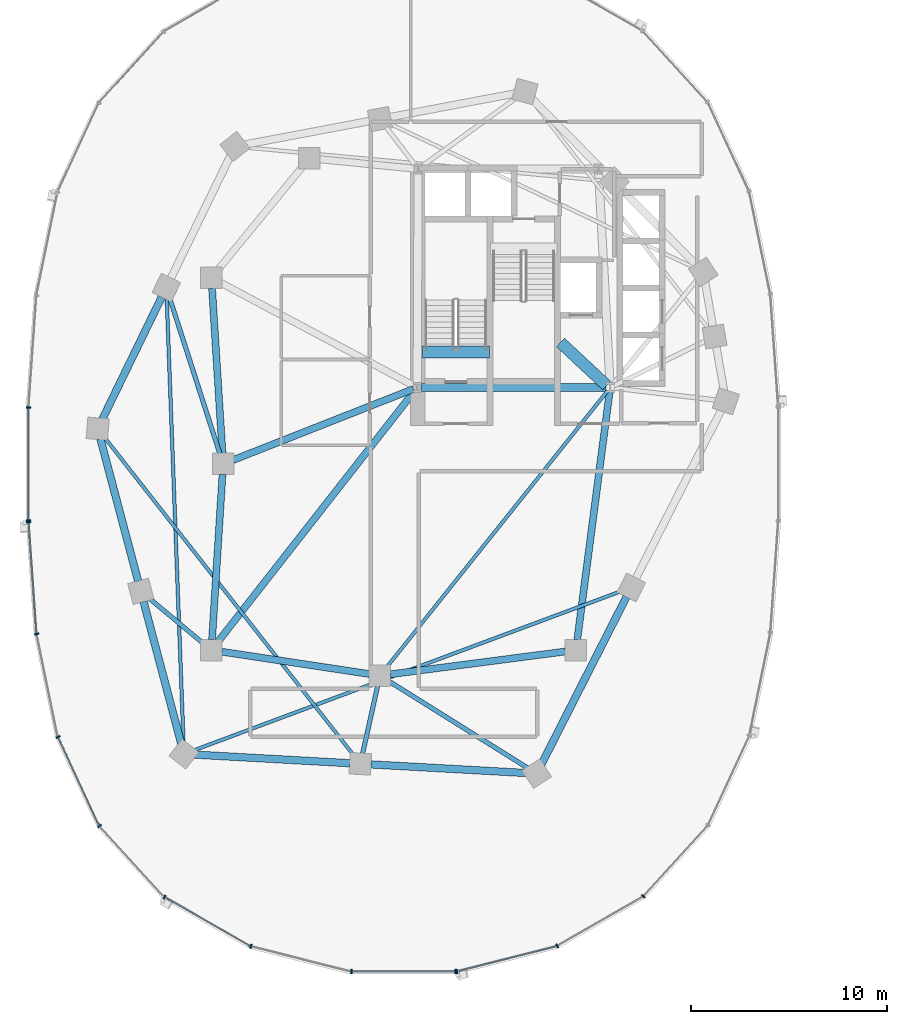
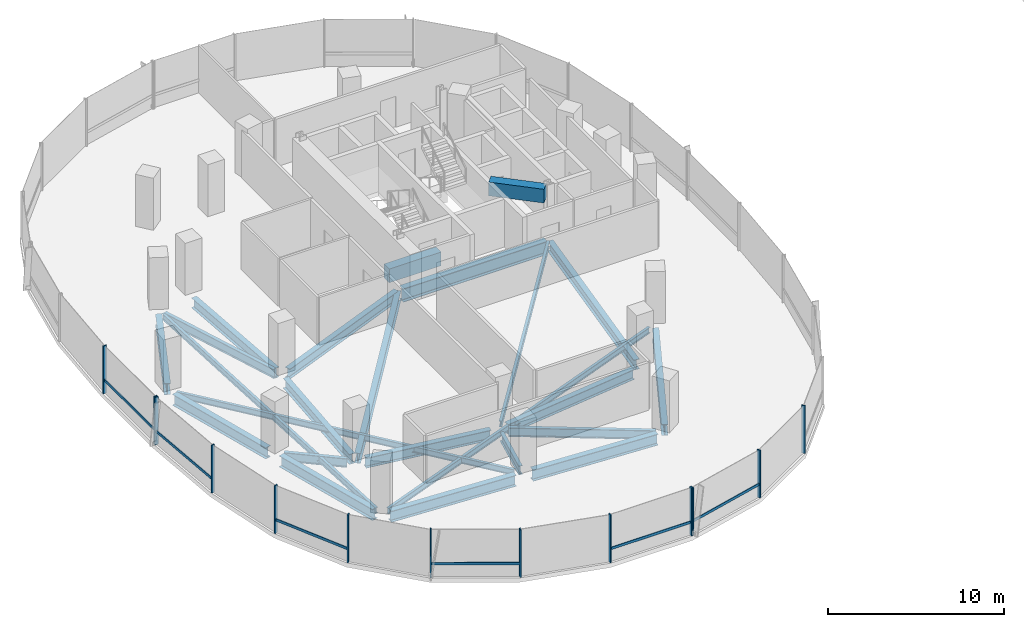
# One storey, part 2 of 20: 24 beams, 19 members, 3 elements without a shape of their own.
"""IFC4 building model written with IfcOpenShell, lengths in metres."""

from ifc_helpers import new_model, si_unit, direction, frame, origin, origin_2d, place, context, subcontext, project, spatial, rectangle, i_section, extrude, material, material_profile, profile_set, type_object, element, aggregate, save


model = new_model("IFC4")

# Units and contexts
model_context = context("Model", 3, precision=1e-05, world=origin(), true_north=direction((0.0, 1.0)))
body_context = subcontext(model_context, "Body", "Model", "MODEL_VIEW")
ifc_project = project(units=[si_unit("LENGTHUNIT", "METRE"), si_unit("AREAUNIT", "SQUARE_METRE"), si_unit("VOLUMEUNIT", "CUBIC_METRE"), si_unit("PLANEANGLEUNIT", "RADIAN"), si_unit("MASSUNIT", "GRAM", prefix="KILO"), si_unit("THERMODYNAMICTEMPERATUREUNIT", "KELVIN"), si_unit("POWERUNIT", "WATT")], contexts=[model_context])

# Site, building, storey
site_placement = place(None, origin())
site = spatial("IfcSite", under=ifc_project, at=site_placement, CompositionType="ELEMENT")
building_placement = place(site_placement, origin())
building = spatial("IfcBuilding", under=site, at=building_placement, Name="Cundina Bronze Exchange", CompositionType="ELEMENT")
storey_placement = place(building_placement, frame((0.0, 0.0, 125.0)))
storey = spatial("IfcBuildingStorey", under=building, at=storey_placement, Name="L32", CompositionType="ELEMENT", Elevation=125.0)

# Beams
ifc_material_1 = material(Name="Concrete C60/75", Category="concrete")
ifc_material_profile_1 = material_profile(ifc_material_1, rectangle(XDim=0.60009765625, YDim=0.949951171875, at=origin_2d()), Name="RC600X950", Category="concrete")
ifc_profile_set_1 = profile_set([ifc_material_profile_1], Name="Concrete C60/75")
beam_type_1 = type_object("IfcBeamType", Name="BM-COUP-RC950", PredefinedType="LINTEL", material=ifc_profile_set_1)
beam_1_placement = place(storey_placement, frame((-31.02001953125, 5.719970703125, -0.47509765625), z_axis=(1.0, 0.0, 0.0), x_axis=(0.0, 1.0, 0.0)))
element("IfcBeam", 1, at=beam_1_placement, inside=storey, type_object=beam_type_1, Name="L32 Stair W1 Landing Header Beam", PredefinedType="LINTEL", context=body_context, shape_type="SweptSolid", body=[
    extrude(rectangle(XDim=0.60009765625, YDim=0.949951171875, at=origin_2d()), origin(), (0.0, 0.0, 1.0), 3.39990234375),
])
beam_2_placement = place(storey_placement, frame((-23.989990234375, 6.199951171875, 2.824951171875), z_axis=(0.731490439815, -0.681851696822, 0.0), x_axis=(0.681851696822, 0.731490439815, 0.0)))
element("IfcBeam", 2, at=beam_2_placement, inside=storey, type_object=beam_type_1, Name="L32 W Core Shear Coupling Lintel Beam", PredefinedType="LINTEL", context=body_context, shape_type="SweptSolid", body=[
    extrude(rectangle(XDim=0.60009765625, YDim=0.949951171875, at=origin_2d()), origin(), (0.0, 0.0, 1.0), 3.226318359375),
])
ifc_material_2 = material(Name="Steel ASTM A992 Grade 50", Category="steel")
ifc_material_profile_2 = material_profile(ifc_material_2, i_section(OverallWidth=0.22998046875, OverallDepth=0.616943359375, WebThickness=0.01318359375, FlangeThickness=0.022216796875, FilletRadius=0.013916015625, at=origin_2d()), Name="W24X94", Category="steel")
ifc_profile_set_2 = profile_set([ifc_material_profile_2], Name="Steel ASTM A992 Grade 50")
beam_type_2 = type_object("IfcBeamType", Name="BM-FLR-W24B", PredefinedType="BEAM", material=ifc_profile_set_2)
beam_3_placement = place(storey_placement, frame((-41.364990234375, 0.51220703125, -0.6083984375), z_axis=(-0.306710777581, 0.951802762612, 0.0), x_axis=(-0.951802762612, -0.306710777581, 0.0)))
element("IfcBeam", 3, at=beam_3_placement, inside=storey, type_object=beam_type_2, Name="L32 Leg W Radial Floor Beam 07", PredefinedType="BEAM", context=body_context, shape_type="SweptSolid", body=[
    extrude(i_section(OverallWidth=0.22998046875, OverallDepth=0.616943359375, WebThickness=0.01318359375, FlangeThickness=0.022216796875, FilletRadius=0.013916015625, at=origin_2d()), origin(), (0.0, 0.0, 1.0), 8.37939453125),
])
beam_4_placement = place(storey_placement, frame((-42.21337890625, -9.155517578125, -0.6083984375), z_axis=(-0.768243451945, 0.640157791911, 0.0), x_axis=(-0.640157791911, -0.768243451945, 0.0)))
element("IfcBeam", 4, at=beam_4_placement, inside=storey, type_object=beam_type_2, Name="L32 Leg W Radial Floor Beam 09", PredefinedType="BEAM", context=body_context, shape_type="SweptSolid", body=[
    extrude(i_section(OverallWidth=0.22998046875, OverallDepth=0.616943359375, WebThickness=0.01318359375, FlangeThickness=0.022216796875, FilletRadius=0.013916015625, at=origin_2d()), origin(), (0.0, 0.0, 1.0), 3.610107421875),
])
beam_5_placement = place(storey_placement, frame((-33.316650390625, -11.3251953125, -0.6083984375), z_axis=(-0.216930457819, -0.976187060184, 0.0), x_axis=(0.976187060184, -0.216930457819, 0.0)))
element("IfcBeam", 5, at=beam_5_placement, inside=storey, type_object=beam_type_2, Name="L32 Leg W Radial Floor Beam 11", PredefinedType="BEAM", context=body_context, shape_type="SweptSolid", body=[
    extrude(i_section(OverallWidth=0.22998046875, OverallDepth=0.616943359375, WebThickness=0.01318359375, FlangeThickness=0.022216796875, FilletRadius=0.013916015625, at=origin_2d()), origin(), (0.0, 0.0, 1.0), 3.533935546875),
])
beam_6_placement = place(storey_placement, frame((-32.743896484375, -11.085205078125, -0.6083984375), z_axis=(0.848003227047, -0.529991063055, 0.0), x_axis=(0.529991063055, 0.848003227047, 0.0)))
element("IfcBeam", 6, at=beam_6_placement, inside=storey, type_object=beam_type_2, Name="L32 Leg W Radial Floor Beam 12", PredefinedType="BEAM", context=body_context, shape_type="SweptSolid", body=[
    extrude(i_section(OverallWidth=0.22998046875, OverallDepth=0.616943359375, WebThickness=0.01318359375, FlangeThickness=0.022216796875, FilletRadius=0.013916015625, at=origin_2d()), origin(), (0.0, 0.0, 1.0), 8.358154296875),
])
ifc_material_profile_3 = material_profile(ifc_material_2, i_section(OverallWidth=0.178955078125, OverallDepth=0.409912109375, WebThickness=0.0087890625, FlangeThickness=0.014404296875, FilletRadius=0.010986328125, at=origin_2d()), Name="W16X45", Category="steel")
ifc_profile_set_3 = profile_set([ifc_material_profile_3], Name="Steel ASTM A992 Grade 50")
beam_type_3 = type_object("IfcBeamType", Name="BM-JST-W16", PredefinedType="JOIST", material=ifc_profile_set_3)
beam_7_placement = place(storey_placement, frame((-21.577392578125, 3.740478515625, -0.5048828125), z_axis=(-0.62436887964, -0.781129632095, 0.0), x_axis=(0.781129632095, -0.62436887964, 0.0)))
element("IfcBeam", 7, at=beam_7_placement, inside=storey, type_object=beam_type_3, Name="L32 W Interior Core-to-Ring Joist 2", PredefinedType="JOIST", context=body_context, shape_type="SweptSolid", body=[
    extrude(i_section(OverallWidth=0.178955078125, OverallDepth=0.409912109375, WebThickness=0.0087890625, FlangeThickness=0.014404296875, FilletRadius=0.010986328125, at=origin_2d()), origin(), (0.0, 0.0, 1.0), 18.076904296875),
])
beam_8_placement = place(storey_placement, frame((-44.07958984375, 8.46240234375, -0.5048828125), z_axis=(0.03778951385, -0.999285721224, 0.0), x_axis=(0.999285721224, 0.03778951385, 0.0)))
element("IfcBeam", 8, at=beam_8_placement, inside=storey, type_object=beam_type_3, Name="L32 Leg W Lobe Floor Joist 07-10", PredefinedType="JOIST", context=body_context, shape_type="SweptSolid", body=[
    extrude(i_section(OverallWidth=0.178955078125, OverallDepth=0.409912109375, WebThickness=0.0087890625, FlangeThickness=0.014404296875, FilletRadius=0.010986328125, at=origin_2d()), origin(), (0.0, 0.0, 1.0), 22.7412109375),
])
beam_9_placement = place(storey_placement, frame((-47.268310546875, 1.37646484375, -0.5048828125), z_axis=(0.616815348306, -0.787107887201, 0.0), x_axis=(0.787107887201, 0.616815348306, 0.0)))
element("IfcBeam", 9, at=beam_9_placement, inside=storey, type_object=beam_type_3, Name="L32 Leg W Lobe Floor Joist 08-11", PredefinedType="JOIST", context=body_context, shape_type="SweptSolid", body=[
    extrude(i_section(OverallWidth=0.178955078125, OverallDepth=0.409912109375, WebThickness=0.0087890625, FlangeThickness=0.014404296875, FilletRadius=0.010986328125, at=origin_2d()), origin(), (0.0, 0.0, 1.0), 20.64892578125),
])
beam_10_placement = place(storey_placement, frame((-42.69580078125, -14.6123046875, -0.5048828125), z_axis=(0.937127917421, 0.348986054721, 0.0), x_axis=(-0.348986054721, 0.937127917421, 0.0)))
element("IfcBeam", 10, at=beam_10_placement, inside=storey, type_object=beam_type_3, Name="L32 Leg W Lobe Floor Joist 10-13", PredefinedType="JOIST", context=body_context, shape_type="SweptSolid", body=[
    extrude(i_section(OverallWidth=0.178955078125, OverallDepth=0.409912109375, WebThickness=0.0087890625, FlangeThickness=0.014404296875, FilletRadius=0.010986328125, at=origin_2d()), origin(), (0.0, 0.0, 1.0), 23.2802734375),
])
ifc_material_profile_4 = material_profile(ifc_material_2, i_section(OverallWidth=0.35498046875, OverallDepth=0.695068359375, WebThickness=0.015380859375, FlangeThickness=0.02490234375, FilletRadius=0.01806640625, at=origin_2d()), Name="W27X146", Category="steel")
ifc_profile_set_4 = profile_set([ifc_material_profile_4], Name="Steel ASTM A992 Grade 50")
beam_type_4 = type_object("IfcBeamType", Name="BM-RING-W27", PredefinedType="USERDEFINED", material=ifc_profile_set_4)
for number, where, z_axis, x_axis, name in (
    (11, (-41.76611328125, 8.963134765625, -0.6474609375), (0.06303715519, -0.998011180832, 0.0), (0.998011180832, 0.06303715519, 0.0), "L32 W Inner Structural Ring Girder 03"),
    (12, (-41.23388671875, -0.536865234375, -0.6474609375), (-0.06303715519, -0.998011180832, 0.0), (0.998011180832, -0.06303715519, 0.0), "L32 W Inner Structural Ring Girder 04"),
):
    element("IfcBeam", number, at=place(storey_placement, frame(where, z_axis=z_axis, x_axis=x_axis)), inside=storey, type_object=beam_type_4, Name=name, ObjectType="GIRDER", PredefinedType="USERDEFINED", context=body_context, shape_type="SweptSolid", body=[
        extrude(i_section(OverallWidth=0.35498046875, OverallDepth=0.695068359375, WebThickness=0.015380859375, FlangeThickness=0.02490234375, FilletRadius=0.01806640625, at=origin_2d()), origin(), (0.0, 0.0, 1.0), 8.443115234375),
    ])
beam_11_placement = place(storey_placement, frame((-41.26806640625, -9.580322265625, -0.6474609375), z_axis=(0.988767489563, -0.149461873341, 0.0), x_axis=(0.149461873341, 0.988767489563, 0.0)))
element("IfcBeam", 13, at=beam_11_placement, inside=storey, type_object=beam_type_4, Name="L32 W Inner Structural Ring Girder 05", ObjectType="GIRDER", PredefinedType="USERDEFINED", context=body_context, shape_type="SweptSolid", body=[
    extrude(i_section(OverallWidth=0.35498046875, OverallDepth=0.695068359375, WebThickness=0.015380859375, FlangeThickness=0.02490234375, FilletRadius=0.01806640625, at=origin_2d()), origin(), (0.0, 0.0, 1.0), 7.621826171875),
])
beam_12_placement = place(storey_placement, frame((-32.66650390625, -10.730712890625, -0.6474609375), z_axis=(0.991654577907, 0.128923225666, 0.0), x_axis=(-0.128923225666, 0.991654577907, 0.0)))
element("IfcBeam", 14, at=beam_12_placement, inside=storey, type_object=beam_type_4, Name="L32 W Inner Structural Ring Girder 06", ObjectType="GIRDER", PredefinedType="USERDEFINED", context=body_context, shape_type="SweptSolid", body=[
    extrude(i_section(OverallWidth=0.35498046875, OverallDepth=0.695068359375, WebThickness=0.015380859375, FlangeThickness=0.02490234375, FilletRadius=0.01806640625, at=origin_2d()), origin(), (0.0, 0.0, 1.0), 9.00830078125),
])
beam_13_placement = place(storey_placement, frame((-23.13037109375, -8.966552734375, -0.6474609375), z_axis=(0.129507526533, 0.99157843894, 0.0), x_axis=(-0.99157843894, 0.129507526533, 0.0)))
element("IfcBeam", 15, at=beam_13_placement, inside=storey, type_object=beam_type_4, Name="L32 W Inner Structural Ring Girder 07", ObjectType="GIRDER", PredefinedType="USERDEFINED", context=body_context, shape_type="SweptSolid", body=[
    extrude(i_section(OverallWidth=0.35498046875, OverallDepth=0.695068359375, WebThickness=0.015380859375, FlangeThickness=0.02490234375, FilletRadius=0.01806640625, at=origin_2d()), origin(), (0.0, 0.0, 1.0), 12.77197265625),
])
beam_14_placement = place(storey_placement, frame((-31.48974609375, 3.8251953125, -0.6474609375), z_axis=(-0.930413235418, -0.366512225388, 0.0), x_axis=(0.366512225388, -0.930413235418, 0.0)))
element("IfcBeam", 16, at=beam_14_placement, inside=storey, type_object=beam_type_4, Name="L32 W Core-to-Waist Tie Beam 1", ObjectType="GIRDER", PredefinedType="USERDEFINED", context=body_context, shape_type="SweptSolid", body=[
    extrude(i_section(OverallWidth=0.35498046875, OverallDepth=0.695068359375, WebThickness=0.015380859375, FlangeThickness=0.02490234375, FilletRadius=0.01806640625, at=origin_2d()), origin(), (0.0, 0.0, 1.0), 9.8984375),
])
beam_15_placement = place(storey_placement, frame((-31.42578125, 3.739501953125, -0.6474609375), z_axis=(-0.616789275748, -0.787128318206, 0.0), x_axis=(0.787128318206, -0.616789275748, 0.0)))
element("IfcBeam", 17, at=beam_15_placement, inside=storey, type_object=beam_type_4, Name="L32 W Core-to-Waist Tie Beam 3", ObjectType="GIRDER", PredefinedType="USERDEFINED", context=body_context, shape_type="SweptSolid", body=[
    extrude(i_section(OverallWidth=0.35498046875, OverallDepth=0.695068359375, WebThickness=0.015380859375, FlangeThickness=0.02490234375, FilletRadius=0.01806640625, at=origin_2d()), origin(), (0.0, 0.0, 1.0), 16.281982421875),
])
ifc_material_profile_5 = material_profile(ifc_material_2, i_section(OverallWidth=0.381103515625, OverallDepth=0.77294921875, WebThickness=0.0166015625, FlangeThickness=0.027099609375, FilletRadius=0.01904296875, at=origin_2d()), Name="W30X173", Category="steel")
ifc_profile_set_5 = profile_set([ifc_material_profile_5], Name="Steel ASTM A992 Grade 50")
beam_type_5 = type_object("IfcBeamType", Name="BM-RING-W30", PredefinedType="USERDEFINED", material=ifc_profile_set_5)
beam_16_placement = place(storey_placement, frame((-44.335205078125, 8.51611328125, -0.6865234375), z_axis=(-0.437193894283, -0.899367276924, 0.0), x_axis=(0.899367276924, -0.437193894283, 0.0)))
element("IfcBeam", 18, at=beam_16_placement, inside=storey, type_object=beam_type_5, Name="L32 W Perimeter Ring Girder 07", ObjectType="GIRDER", PredefinedType="USERDEFINED", context=body_context, shape_type="SweptSolid", body=[
    extrude(i_section(OverallWidth=0.381103515625, OverallDepth=0.77294921875, WebThickness=0.0166015625, FlangeThickness=0.027099609375, FilletRadius=0.01904296875, at=origin_2d()), origin(), (0.0, 0.0, 1.0), 6.929443359375),
])
for number, where, z_axis, x_axis, name in (
    (19, (-47.462158203125, 1.280029296875, -0.6865234375), (0.256209719931, -0.966621218168, 0.0), (0.966621218168, 0.256209719931, 0.0), "L32 W Perimeter Ring Girder 08"),
    (20, (-45.26220703125, -7.02001953125, -0.6865234375), (0.256209719931, -0.966621218168, 0.0), (0.966621218168, 0.256209719931, 0.0), "L32 W Perimeter Ring Girder 09"),
):
    element("IfcBeam", number, at=place(storey_placement, frame(where, z_axis=z_axis, x_axis=x_axis)), inside=storey, type_object=beam_type_5, Name=name, ObjectType="GIRDER", PredefinedType="USERDEFINED", context=body_context, shape_type="SweptSolid", body=[
        extrude(i_section(OverallWidth=0.381103515625, OverallDepth=0.77294921875, WebThickness=0.0166015625, FlangeThickness=0.027099609375, FilletRadius=0.01904296875, at=origin_2d()), origin(), (0.0, 0.0, 1.0), 7.5107421875),
    ])
for number, where, z_axis, x_axis, name in (
    (21, (-42.662841796875, -14.829833984375, -0.6865234375), (0.99845950136, -0.055485350721, 0.0), (0.055485350721, 0.99845950136, 0.0), "L32 W Perimeter Ring Girder 10"),
    (22, (-33.662841796875, -15.329833984375, -0.6865234375), (0.99845950136, -0.055485350721, 0.0), (0.055485350721, 0.99845950136, 0.0), "L32 W Perimeter Ring Girder 11"),
):
    element("IfcBeam", number, at=place(storey_placement, frame(where, z_axis=z_axis, x_axis=x_axis)), inside=storey, type_object=beam_type_5, Name=name, ObjectType="GIRDER", PredefinedType="USERDEFINED", context=body_context, shape_type="SweptSolid", body=[
        extrude(i_section(OverallWidth=0.381103515625, OverallDepth=0.77294921875, WebThickness=0.0166015625, FlangeThickness=0.027099609375, FilletRadius=0.01904296875, at=origin_2d()), origin(), (0.0, 0.0, 1.0), 7.937744140625),
    ])
beam_17_placement = place(storey_placement, frame((-24.956298828125, -15.3203125, -0.6865234375), z_axis=(0.452832332744, 0.891595692241, 0.0), x_axis=(-0.891595692241, 0.452832332744, 0.0)))
element("IfcBeam", 23, at=beam_17_placement, inside=storey, type_object=beam_type_5, Name="L32 W Perimeter Ring Girder 12", ObjectType="GIRDER", PredefinedType="USERDEFINED", context=body_context, shape_type="SweptSolid", body=[
    extrude(i_section(OverallWidth=0.381103515625, OverallDepth=0.77294921875, WebThickness=0.0166015625, FlangeThickness=0.027099609375, FilletRadius=0.01904296875, at=origin_2d()), origin(), (0.0, 0.0, 1.0), 9.578857421875),
])
ifc_material_profile_6 = material_profile(ifc_material_2, i_section(OverallWidth=0.41796875, OverallDepth=0.927001953125, WebThickness=0.019287109375, FlangeThickness=0.031982421875, FilletRadius=0.02392578125, at=origin_2d()), Name="W36X231", Category="steel")
ifc_profile_set_6 = profile_set([ifc_material_profile_6], Name="Steel ASTM A992 Grade 50")
beam_type_6 = type_object("IfcBeamType", Name="BM-WRN-W36B", PredefinedType="USERDEFINED", material=ifc_profile_set_6)
beam_18_placement = place(storey_placement, frame((-31.095947265625, 3.89990234375, -0.763427734375), z_axis=(1.0, 0.0, 0.0), x_axis=(0.0, 1.0, 0.0)))
element("IfcBeam", 24, at=beam_18_placement, inside=storey, type_object=beam_type_6, Name="L32 W Core Perimeter Tie Girder 1", ObjectType="GIRDER", PredefinedType="USERDEFINED", context=body_context, shape_type="SweptSolid", body=[
    extrude(i_section(OverallWidth=0.41796875, OverallDepth=0.927001953125, WebThickness=0.019287109375, FlangeThickness=0.031982421875, FilletRadius=0.02392578125, at=origin_2d()), origin(), (0.0, 0.0, 1.0), 9.44189453125),
])

# Curtain wall, members
ifc_material_3 = material(Name="Anodised Bronze Aluminium 6063-T6", Category="aluminium")
curtain_wall_type = type_object("IfcCurtainWallType", Name="CWS-TRD-MID", PredefinedType="NOTDEFINED", material=ifc_material_3)
curtain_wall_1_placement = place(storey_placement, origin())
curtain_wall_1 = element("IfcCurtainWall", 25, at=curtain_wall_1_placement, inside=storey, type_object=curtain_wall_type, Name="L32 CW-03 Curtain Wall Run CWR-L32-W2", PredefinedType="NOTDEFINED")
ifc_material_profile_7 = material_profile(ifc_material_3, rectangle(XDim=0.074951171875, YDim=0.219970703125, at=origin_2d()), Name="AL75X220", Category="aluminium")
ifc_profile_set_7 = profile_set([ifc_material_profile_7], Name="Anodised Bronze Aluminium 6063-T6")
member_type_1 = type_object("IfcMemberType", Name="CWM-MUL-220", PredefinedType="MULLION", material=ifc_profile_set_7)
member_1_placement = place(storey_placement, frame((-51.1279296875, 2.880615234375, 0.0), z_axis=(0.0, 0.0, 1.0), x_axis=(0.0, -1.0, 0.0)))
member_1 = element("IfcMember", 26, at=member_1_placement, type_object=member_type_1, Name="CW-03 Mullion 7", PredefinedType="MULLION", context=body_context, shape_type="SweptSolid", body=[
    extrude(rectangle(XDim=0.074951171875, YDim=0.219970703125, at=origin_2d()), origin(), (0.0, 0.0, 1.0), 3.300048828125),
])
member_2_placement = place(storey_placement, frame((-51.1279296875, -2.880615234375, 0.0), z_axis=(0.0, 0.0, 1.0), x_axis=(0.0, -1.0, 0.0)))
member_2 = element("IfcMember", 27, at=member_2_placement, type_object=member_type_1, Name="CW-03 End Mullion", PredefinedType="MULLION", context=body_context, shape_type="SweptSolid", body=[
    extrude(rectangle(XDim=0.074951171875, YDim=0.219970703125, at=origin_2d()), origin(), (0.0, 0.0, 1.0), 3.300048828125),
])

curtain_wall_2_placement = place(storey_placement, origin())
curtain_wall_2 = element("IfcCurtainWall", 28, at=curtain_wall_2_placement, inside=storey, type_object=curtain_wall_type, Name="L32 CW-03 Curtain Wall Run CWR-L32-W3", PredefinedType="NOTDEFINED")
member_3_placement = place(storey_placement, frame((-51.12451171875, -2.976318359375, 0.0), z_axis=(0.0, 0.0, 1.0), x_axis=(0.070278787473, -0.997527389113, 0.0)))
member_3 = element("IfcMember", 29, at=member_3_placement, type_object=member_type_1, Name="CW-03 Mullion 1", PredefinedType="MULLION", context=body_context, shape_type="SweptSolid", body=[
    extrude(rectangle(XDim=0.074951171875, YDim=0.219970703125, at=origin_2d()), origin(), (0.0, 0.0, 1.0), 3.300048828125),
])
member_4_placement = place(storey_placement, frame((-50.717041015625, -8.67822265625, 0.0), z_axis=(0.0, 0.0, 1.0), x_axis=(0.201419845156, -0.979505000486, 0.0)))
member_4 = element("IfcMember", 30, at=member_4_placement, type_object=member_type_1, Name="CW-03 Mullion 2", PredefinedType="MULLION", context=body_context, shape_type="SweptSolid", body=[
    extrude(rectangle(XDim=0.074951171875, YDim=0.219970703125, at=origin_2d()), origin(), (0.0, 0.0, 1.0), 3.300048828125),
])
member_5_placement = place(storey_placement, frame((-49.6279296875, -13.931884765625, 0.0), z_axis=(0.0, 0.0, 1.0), x_axis=(0.42087749791, -0.907117485088, 0.0)))
member_5 = element("IfcMember", 31, at=member_5_placement, type_object=member_type_1, Name="CW-03 Mullion 3", PredefinedType="MULLION", context=body_context, shape_type="SweptSolid", body=[
    extrude(rectangle(XDim=0.074951171875, YDim=0.219970703125, at=origin_2d()), origin(), (0.0, 0.0, 1.0), 3.300048828125),
])
member_6_placement = place(storey_placement, frame((-47.508544921875, -18.47705078125, 0.0), z_axis=(0.0, 0.0, 1.0), x_axis=(0.674302387584, -0.738455340626, 0.0)))
member_6 = element("IfcMember", 32, at=member_6_placement, type_object=member_type_1, Name="CW-03 Mullion 4", PredefinedType="MULLION", context=body_context, shape_type="SweptSolid", body=[
    extrude(rectangle(XDim=0.074951171875, YDim=0.219970703125, at=origin_2d()), origin(), (0.0, 0.0, 1.0), 3.300048828125),
])
member_7_placement = place(storey_placement, frame((-44.189697265625, -22.097412109375, 0.0), z_axis=(0.0, 0.0, 1.0), x_axis=(0.867070701164, -0.498185105339, 0.0)))
member_7 = element("IfcMember", 33, at=member_7_placement, type_object=member_type_1, Name="CW-03 Mullion 5", PredefinedType="MULLION", context=body_context, shape_type="SweptSolid", body=[
    extrude(rectangle(XDim=0.074951171875, YDim=0.219970703125, at=origin_2d()), origin(), (0.0, 0.0, 1.0), 3.300048828125),
])
member_8_placement = place(storey_placement, frame((-39.78515625, -24.61669921875, 0.0), z_axis=(0.0, 0.0, 1.0), x_axis=(0.969488149345, -0.245138182011, 0.0)))
member_8 = element("IfcMember", 34, at=member_8_placement, type_object=member_type_1, Name="CW-03 Mullion 6", PredefinedType="MULLION", context=body_context, shape_type="SweptSolid", body=[
    extrude(rectangle(XDim=0.074951171875, YDim=0.219970703125, at=origin_2d()), origin(), (0.0, 0.0, 1.0), 3.300048828125),
])
member_9_placement = place(storey_placement, frame((-34.654541015625, -25.905029296875, 0.0), z_axis=(0.0, 0.0, 1.0), x_axis=(1.0, 0.0, 0.0)))
member_9 = element("IfcMember", 35, at=member_9_placement, type_object=member_type_1, Name="CW-03 Mullion 7", PredefinedType="MULLION", context=body_context, shape_type="SweptSolid", body=[
    extrude(rectangle(XDim=0.074951171875, YDim=0.219970703125, at=origin_2d()), origin(), (0.0, 0.0, 1.0), 3.300048828125),
])
member_10_placement = place(storey_placement, frame((-29.345458984375, -25.905029296875, 0.0), z_axis=(0.0, 0.0, 1.0), x_axis=(1.0, 0.0, 0.0)))
member_10 = element("IfcMember", 36, at=member_10_placement, type_object=member_type_1, Name="CW-03 End Mullion", PredefinedType="MULLION", context=body_context, shape_type="SweptSolid", body=[
    extrude(rectangle(XDim=0.074951171875, YDim=0.219970703125, at=origin_2d()), origin(), (0.0, 0.0, 1.0), 3.300048828125),
])

curtain_wall_3_placement = place(storey_placement, origin())
curtain_wall_3 = element("IfcCurtainWall", 37, at=curtain_wall_3_placement, inside=storey, type_object=curtain_wall_type, Name="L32 CW-03 Curtain Wall Run CWR-L32-W4", PredefinedType="NOTDEFINED")
member_11_placement = place(storey_placement, frame((-29.27392578125, -25.89599609375, 0.0), z_axis=(0.0, 0.0, 1.0), x_axis=(0.969488149345, 0.245138182011, 0.0)))
member_11 = element("IfcMember", 38, at=member_11_placement, type_object=member_type_1, Name="CW-03 Mullion 1", PredefinedType="MULLION", context=body_context, shape_type="SweptSolid", body=[
    extrude(rectangle(XDim=0.074951171875, YDim=0.219970703125, at=origin_2d()), origin(), (0.0, 0.0, 1.0), 3.300048828125),
])
member_12_placement = place(storey_placement, frame((-24.151123046875, -24.591064453125, 0.0), z_axis=(0.0, 0.0, 1.0), x_axis=(0.867070701164, 0.498185105339, 0.0)))
member_12 = element("IfcMember", 39, at=member_12_placement, type_object=member_type_1, Name="CW-03 Mullion 2", PredefinedType="MULLION", context=body_context, shape_type="SweptSolid", body=[
    extrude(rectangle(XDim=0.074951171875, YDim=0.219970703125, at=origin_2d()), origin(), (0.0, 0.0, 1.0), 3.300048828125),
])
member_13_placement = place(storey_placement, frame((-19.760498046875, -22.0576171875, 0.0), z_axis=(0.0, 0.0, 1.0), x_axis=(0.674302387584, 0.738455340626, 0.0)))
member_13 = element("IfcMember", 40, at=member_13_placement, type_object=member_type_1, Name="CW-03 Mullion 3", PredefinedType="MULLION", context=body_context, shape_type="SweptSolid", body=[
    extrude(rectangle(XDim=0.074951171875, YDim=0.219970703125, at=origin_2d()), origin(), (0.0, 0.0, 1.0), 3.300048828125),
])

# Member
ifc_material_profile_8 = material_profile(ifc_material_3, rectangle(XDim=0.070068359375, YDim=0.179931640625, at=origin_2d()), Name="AL70X180", Category="aluminium")
ifc_profile_set_8 = profile_set([ifc_material_profile_8], Name="Anodised Bronze Aluminium 6063-T6")
member_type_2 = type_object("IfcMemberType", Name="CWM-TRN-180", PredefinedType="USERDEFINED", material=ifc_profile_set_8)
member_14_placement = place(storey_placement, frame((-51.1279296875, 2.839111328125, 0.919921875), z_axis=(0.0, -1.0, 0.0), x_axis=(1.0, 0.0, 0.0)))
member_14 = element("IfcMember", 41, at=member_14_placement, type_object=member_type_2, Name="CW-03 Spandrel Transom 7", ObjectType="TRANSOM", PredefinedType="USERDEFINED", context=body_context, shape_type="SweptSolid", body=[
    extrude(rectangle(XDim=0.070068359375, YDim=0.179931640625, at=origin_2d()), origin(), (0.0, 0.0, 1.0), 5.67822265625),
])

aggregate(curtain_wall_1, [member_1, member_2, member_14])

member_15_placement = place(storey_placement, frame((-51.12158203125, -3.017333984375, 0.919921875), z_axis=(0.070260714471, -0.997528662246, 0.0), x_axis=(0.997528662246, 0.070260714471, 0.0)))
member_15 = element("IfcMember", 42, at=member_15_placement, type_object=member_type_2, Name="CW-03 Spandrel Transom 1", ObjectType="TRANSOM", PredefinedType="USERDEFINED", context=body_context, shape_type="SweptSolid", body=[
    extrude(rectangle(XDim=0.070068359375, YDim=0.179931640625, at=origin_2d()), origin(), (0.0, 0.0, 1.0), 5.629150390625),
])

member_16_placement = place(storey_placement, frame((-49.610595703125, -13.96923828125, 0.919921875), z_axis=(0.420811422796, -0.907148139195, 0.0), x_axis=(0.907148139195, 0.420811422796, 0.0)))
member_16 = element("IfcMember", 43, at=member_16_placement, type_object=member_type_2, Name="CW-03 Spandrel Transom 3", ObjectType="TRANSOM", PredefinedType="USERDEFINED", context=body_context, shape_type="SweptSolid", body=[
    extrude(rectangle(XDim=0.070068359375, YDim=0.179931640625, at=origin_2d()), origin(), (0.0, 0.0, 1.0), 4.95166015625),
])

member_17_placement = place(storey_placement, frame((-44.154052734375, -22.117919921875, 0.919921875), z_axis=(0.867097475651, -0.498138502546, 0.0), x_axis=(0.498138502546, 0.867097475651, 0.0)))
member_17 = element("IfcMember", 44, at=member_17_placement, type_object=member_type_2, Name="CW-03 Spandrel Transom 5", ObjectType="TRANSOM", PredefinedType="USERDEFINED", context=body_context, shape_type="SweptSolid", body=[
    extrude(rectangle(XDim=0.070068359375, YDim=0.179931640625, at=origin_2d()), origin(), (0.0, 0.0, 1.0), 5.00634765625),
])

member_18_placement = place(storey_placement, frame((-34.61328125, -25.905029296875, 0.919921875), z_axis=(1.0, 0.0, 0.0), x_axis=(0.0, 1.0, 0.0)))
member_18 = element("IfcMember", 45, at=member_18_placement, type_object=member_type_2, Name="CW-03 Spandrel Transom 7", ObjectType="TRANSOM", PredefinedType="USERDEFINED", context=body_context, shape_type="SweptSolid", body=[
    extrude(rectangle(XDim=0.070068359375, YDim=0.179931640625, at=origin_2d()), origin(), (0.0, 0.0, 1.0), 5.2265625),
])

aggregate(curtain_wall_2, [member_3, member_15, member_4, member_5, member_16, member_6, member_7, member_17, member_8, member_9, member_10, member_18])

member_19_placement = place(storey_placement, frame((-29.23388671875, -25.885986328125, 0.919921875), z_axis=(0.969483968866, 0.245154714644, 0.0), x_axis=(-0.245154714644, 0.969483968866, 0.0)))
member_19 = element("IfcMember", 46, at=member_19_placement, type_object=member_type_2, Name="CW-03 Spandrel Transom 1", ObjectType="TRANSOM", PredefinedType="USERDEFINED", context=body_context, shape_type="SweptSolid", body=[
    extrude(rectangle(XDim=0.070068359375, YDim=0.179931640625, at=origin_2d()), origin(), (0.0, 0.0, 1.0), 5.21826171875),
])

aggregate(curtain_wall_3, [member_11, member_19, member_12, member_13])

save(model, "model.ifc")
